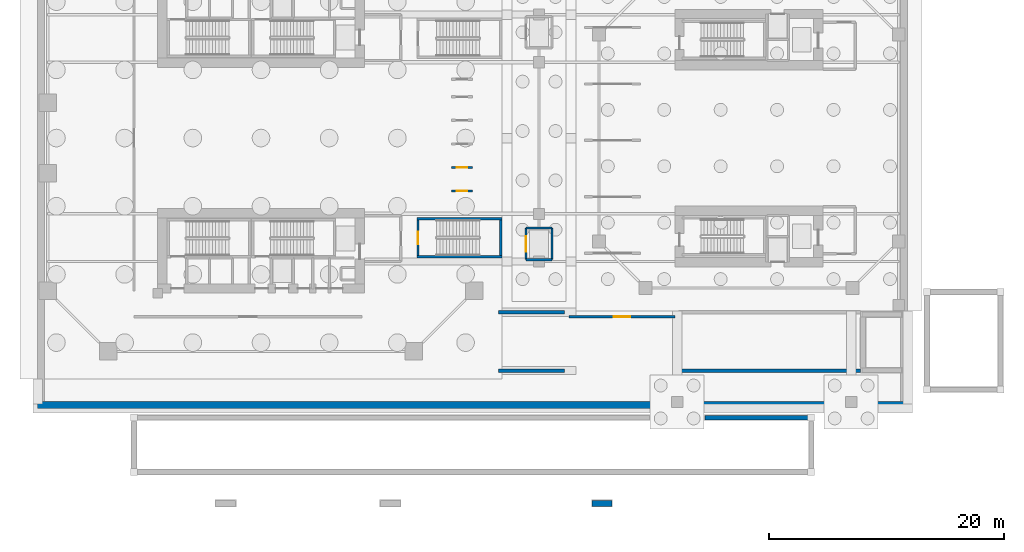
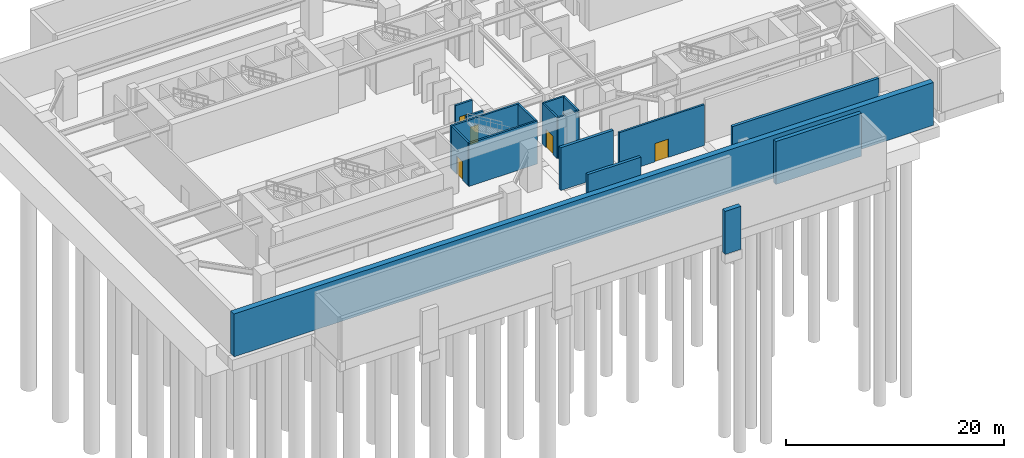
# One storey, part 5 of 13: 17 walls, 5 doors, 5 openings.
"""IFC4 building model written with IfcOpenShell, lengths in metres."""

from ifc_helpers import new_model, si_unit, direction, frame, frame_2d, origin, place, context, subcontext, project, spatial, rectangle, extrude, source, transform, mapped, material, layer, layer_set, type_object, element, fill, save


model = new_model("IFC4")

# Units and contexts
model_context = context("Model", 3, precision=1e-05, world=origin(), true_north=direction((0.0, 1.0)))
body_context = subcontext(model_context, "Body", "Model", "MODEL_VIEW")
ifc_project = project(units=[si_unit("LENGTHUNIT", "METRE"), si_unit("AREAUNIT", "SQUARE_METRE"), si_unit("VOLUMEUNIT", "CUBIC_METRE"), si_unit("PLANEANGLEUNIT", "RADIAN"), si_unit("MASSUNIT", "GRAM", prefix="KILO"), si_unit("THERMODYNAMICTEMPERATUREUNIT", "KELVIN"), si_unit("POWERUNIT", "WATT")], contexts=[model_context])

# Site, building, storey
site_placement = place(None, origin())
site = spatial("IfcSite", under=ifc_project, at=site_placement, CompositionType="ELEMENT")
building_placement = place(site_placement, origin())
building = spatial("IfcBuilding", under=site, at=building_placement, Name="Qiaomeng Ring Towers", CompositionType="ELEMENT")
storey_placement = place(building_placement, frame((0.0, 0.0, -9.60009765625)))
storey = spatial("IfcBuildingStorey", under=building, at=storey_placement, Name="B2", CompositionType="ELEMENT", Elevation=-9.60009765625)

# Wall, opening, door
ifc_material_1 = material(Name="Autoclaved aerated concrete block", Category="concrete")
ifc_layer_1 = layer(ifc_material_1, 0.199951171875, Name="Autoclaved aerated concrete block")
ifc_layer_set_1 = layer_set([ifc_layer_1], Name="Autoclaved aerated concrete block")
wall_type_1 = type_object("IfcWallType", Name="ARC-WL-PW1", PredefinedType="PARTITIONING", material=ifc_layer_set_1)
wall_1_placement = place(storey_placement, frame((45.199951171875, 7.800048828125, 0.0), z_axis=(0.0, 0.0, 1.0), x_axis=(1.0, 0.0, 0.0)))
wall_1 = element("IfcWall", 1, at=wall_1_placement, inside=storey, type_object=wall_type_1, Name="B2 Interior Wall PW1", PredefinedType="PARTITIONING", context=body_context, shape_type="SweptSolid", body=[
    extrude(rectangle(XDim=9.0, YDim=0.199951171875, at=frame_2d((4.5, 0.0))), origin(), (0.0, 0.0, 1.0), 4.580078125),
])
opening_1_placement = place(wall_1_placement, frame((3.800048828125, 0.0, 0.0)))
opening_1 = element("IfcOpeningElement", 2, at=opening_1_placement, cuts=wall_1, Name="Opening FD5", PredefinedType="OPENING", context=body_context, shape_type="SweptSolid", body=[
    extrude(rectangle(XDim=1.39990234375, YDim=2.050048828125, at=frame_2d((0.699951171875, 1.02490234375))), frame((0.0, 0.10986328125, 0.0), z_axis=(0.0, -1.0, 0.0), x_axis=(1.0, 0.0, 0.0)), (0.0, 0.0, 1.0), 0.219970703125),
])
ifc_material_2 = material(Name="Galvanised steel", Category="steel")
door_type_1 = type_object("IfcDoorType", Name="ARC-DR-FD5", OperationType="NOTDEFINED", PredefinedType="DOOR", material=ifc_material_2)
shared_shape_1 = source(origin(), body_context, "Body", "SweptSolid", [
    extrude(rectangle(XDim=1.39990234375, YDim=2.050048828125, at=frame_2d((0.699951171875, 1.02490234375))), frame((0.0, 0.02490234375, 0.0), z_axis=(0.0, -1.0, 0.0), x_axis=(1.0, 0.0, 0.0)), (0.0, 0.0, 1.0), 0.050048828125),
])
door_1_placement = place(opening_1_placement, origin())
door_1 = element("IfcDoor", 3, at=door_1_placement, inside=storey, type_object=door_type_1, Name="B2 Non-Motorised Bicycle Parking and Charging Room Door", OperationType="SINGLE_SWING_LEFT", OverallHeight=2.050048828125, OverallWidth=1.39990234375, PredefinedType="DOOR", context=body_context, shape_type="MappedRepresentation", body=[
    mapped(shared_shape_1, transform((0.0, 0.0, 0.0), x_axis=(1.0, 0.0, 0.0), y_axis=(0.0, 1.0, 0.0), z_axis=(0.0, 0.0, 1.0), scale=1.0)),
])
fill(opening_1, door_1)

wall_2_placement = place(storey_placement, frame((35.199951171875, 18.5, 0.0), z_axis=(0.0, 0.0, 1.0), x_axis=(1.0, 0.0, 0.0)))
wall_2 = element("IfcWall", 4, at=wall_2_placement, inside=storey, type_object=wall_type_1, Name="B2 Pipe Trench Access Wall 1", PredefinedType="PARTITIONING", context=body_context, shape_type="SweptSolid", body=[
    extrude(rectangle(XDim=1.800048828125, YDim=0.199951171875, at=frame_2d((0.89990234375, 0.0))), origin(), (0.0, 0.0, 1.0), 3.400146484375),
])
opening_2_placement = place(wall_2_placement, frame((0.449951171875, 0.0, 0.0)))
opening_2 = element("IfcOpeningElement", 5, at=opening_2_placement, cuts=wall_2, Name="Opening TD1", PredefinedType="OPENING", context=body_context, shape_type="SweptSolid", body=[
    extrude(rectangle(XDim=0.89990234375, YDim=2.0, at=frame_2d((0.449951171875, 1.0))), frame((0.0, 0.10986328125, 0.0), z_axis=(0.0, -1.0, 0.0), x_axis=(1.0, 0.0, 0.0)), (0.0, 0.0, 1.0), 0.219970703125),
])
door_type_2 = type_object("IfcDoorType", Name="ARC-DR-TD1", OperationType="NOTDEFINED", PredefinedType="TRAPDOOR", material=ifc_material_2)
shared_shape_2 = source(origin(), body_context, "Body", "SweptSolid", [
    extrude(rectangle(XDim=0.89990234375, YDim=2.0, at=frame_2d((0.449951171875, 1.0))), frame((0.0, 0.02490234375, 0.0), z_axis=(0.0, -1.0, 0.0), x_axis=(1.0, 0.0, 0.0)), (0.0, 0.0, 1.0), 0.050048828125),
])
door_2_placement = place(opening_2_placement, origin())
door_2 = element("IfcDoor", 6, at=door_2_placement, inside=storey, type_object=door_type_2, Name="B2 Riser Access Trapdoor TD1-1", OperationType="SINGLE_SWING_LEFT", OverallHeight=2.0, OverallWidth=0.89990234375, PredefinedType="TRAPDOOR", context=body_context, shape_type="MappedRepresentation", body=[
    mapped(shared_shape_2, transform((0.0, 0.0, 0.0), x_axis=(1.0, 0.0, 0.0), y_axis=(0.0, 1.0, 0.0), z_axis=(0.0, 0.0, 1.0), scale=1.0)),
])
fill(opening_2, door_2)

wall_3_placement = place(storey_placement, frame((35.199951171875, 20.5, 0.0), z_axis=(0.0, 0.0, 1.0), x_axis=(1.0, 0.0, 0.0)))
wall_3 = element("IfcWall", 7, at=wall_3_placement, inside=storey, type_object=wall_type_1, Name="B2 Pipe Trench Access Wall 2", PredefinedType="PARTITIONING", context=body_context, shape_type="SweptSolid", body=[
    extrude(rectangle(XDim=1.800048828125, YDim=0.199951171875, at=frame_2d((0.89990234375, 0.0))), origin(), (0.0, 0.0, 1.0), 3.400146484375),
])
opening_3_placement = place(wall_3_placement, frame((0.449951171875, 0.0, 0.0)))
opening_3 = element("IfcOpeningElement", 8, at=opening_3_placement, cuts=wall_3, Name="Opening TD1", PredefinedType="OPENING", context=body_context, shape_type="SweptSolid", body=[
    extrude(rectangle(XDim=0.89990234375, YDim=2.0, at=frame_2d((0.449951171875, 1.0))), frame((0.0, 0.10986328125, 0.0), z_axis=(0.0, -1.0, 0.0), x_axis=(1.0, 0.0, 0.0)), (0.0, 0.0, 1.0), 0.219970703125),
])
door_3_placement = place(opening_3_placement, origin())
door_3 = element("IfcDoor", 9, at=door_3_placement, inside=storey, type_object=door_type_2, Name="B2 Riser Access Trapdoor TD1-2", OperationType="SINGLE_SWING_LEFT", OverallHeight=2.0, OverallWidth=0.89990234375, PredefinedType="TRAPDOOR", context=body_context, shape_type="MappedRepresentation", body=[
    mapped(shared_shape_2, transform((0.0, 0.0, 0.0), x_axis=(1.0, 0.0, 0.0), y_axis=(0.0, 1.0, 0.0), z_axis=(0.0, 0.0, 1.0), scale=1.0)),
])
fill(opening_3, door_3)

# Walls
ifc_material_3 = material(Name="Concrete C40", Category="concrete")
ifc_layer_2 = layer(ifc_material_3, 0.60009765625, Name="Concrete C40")
ifc_layer_set_2 = layer_set([ifc_layer_2], Name="Concrete C40")
wall_type_2 = type_object("IfcWallType", Name="STR-WL-BW1", PredefinedType="SOLIDWALL", material=ifc_layer_set_2)
wall_4_placement = place(storey_placement, frame((0.0, 0.300048828125, 0.0), z_axis=(0.0, 0.0, 1.0), x_axis=(1.0, 0.0, 0.0)))
element("IfcWall", 10, at=wall_4_placement, inside=storey, type_object=wall_type_2, Name="B2 RET south core shear wall", PredefinedType="SOLIDWALL", context=body_context, shape_type="SweptSolid", body=[
    extrude(rectangle(XDim=74.0, YDim=0.60009765625, at=frame_2d((37.0, 0.0))), origin(), (0.0, 0.0, 1.0), 4.800048828125),
])
ifc_layer_3 = layer(ifc_material_3, 0.39990234375, Name="Concrete C40")
ifc_layer_set_3 = layer_set([ifc_layer_3], Name="Concrete C40")
wall_type_3 = type_object("IfcWallType", Name="STR-WL-BW2", PredefinedType="SOLIDWALL", material=ifc_layer_set_3)
wall_5_placement = place(storey_placement, frame((56.75, -0.780029296875, 0.0), z_axis=(0.0, 0.0, 1.0), x_axis=(1.0, 0.0, 0.0)))
element("IfcWall", 11, at=wall_5_placement, inside=storey, type_object=wall_type_3, Name="B2 Apron Retaining Plinth Wall PLZ-S-N2", PredefinedType="SOLIDWALL", context=body_context, shape_type="SweptSolid", body=[
    extrude(rectangle(XDim=9.050048828125, YDim=0.39990234375, at=frame_2d((4.52490234375, 0.0))), origin(), (0.0, 0.0, 1.0), 4.800048828125),
])
wall_6_placement = place(storey_placement, frame((39.199951171875, 3.219970703125, 0.0), z_axis=(0.0, 0.0, 1.0), x_axis=(1.0, 0.0, 0.0)))
element("IfcWall", 12, at=wall_6_placement, inside=storey, type_object=wall_type_3, Name="B2 Vehicle Ramp R1 West Support Wall S", PredefinedType="SOLIDWALL", context=body_context, shape_type="SweptSolid", body=[
    extrude(rectangle(XDim=5.60009765625, YDim=0.300048828125, at=frame_2d((2.800048828125, 0.0))), origin(), (0.0, 0.0, 1.0), 4.800048828125),
])
wall_7_placement = place(storey_placement, frame((54.5, 3.219970703125, 0.0), z_axis=(0.0, 0.0, 1.0), x_axis=(1.0, 0.0, 0.0)))
element("IfcWall", 13, at=wall_7_placement, inside=storey, type_object=wall_type_3, Name="B2 Vehicle Ramp R1 East Support Wall S", PredefinedType="SOLIDWALL", context=body_context, shape_type="SweptSolid", body=[
    extrude(rectangle(XDim=15.5, YDim=0.300048828125, at=frame_2d((7.75, 0.0))), origin(), (0.0, 0.0, 1.0), 4.800048828125),
])
wall_8_placement = place(storey_placement, frame((39.199951171875, 8.179931640625, 0.0), z_axis=(0.0, 0.0, 1.0), x_axis=(1.0, 0.0, 0.0)))
element("IfcWall", 14, at=wall_8_placement, inside=storey, type_object=wall_type_3, Name="B2 Vehicle Ramp R1 West Support Wall N", PredefinedType="SOLIDWALL", context=body_context, shape_type="SweptSolid", body=[
    extrude(rectangle(XDim=5.60009765625, YDim=0.300048828125, at=frame_2d((2.800048828125, 0.0))), origin(), (0.0, 0.0, 1.0), 4.800048828125),
])
wall_9_placement = place(storey_placement, frame((47.14990234375, -8.072998046875, 0.0), z_axis=(0.0, 0.0, 1.0), x_axis=(1.0, 0.0, 0.0)))
element("IfcWall", 15, at=wall_9_placement, inside=storey, type_object=wall_type_3, Name="B2 AR2 Kerb Plinth", PredefinedType="SOLIDWALL", context=body_context, shape_type="SweptSolid", body=[
    extrude(rectangle(XDim=1.7001953125, YDim=0.5, at=frame_2d((0.85009765625, 0.0))), origin(), (0.0, 0.0, 1.0), 4.800048828125),
])

# Wall, opening, door
ifc_layer_4 = layer(ifc_material_3, 0.199951171875, Name="Concrete C40")
ifc_layer_set_4 = layer_set([ifc_layer_4], Name="Concrete C40")
wall_type_4 = type_object("IfcWallType", Name="STR-WL-STSHAFT", PredefinedType="SHEAR", material=ifc_layer_set_4)
wall_10_placement = place(storey_placement, frame((41.550048828125, 12.64990234375, 0.0), z_axis=(0.0, 0.0, 1.0), x_axis=(0.0, 1.0, 0.0)))
wall_10 = element("IfcWall", 16, at=wall_10_placement, inside=storey, type_object=wall_type_4, Name="B2 Medical Lift LP10 West Shaft Wall", PredefinedType="SHEAR", context=body_context, shape_type="SweptSolid", body=[
    extrude(rectangle(XDim=2.7001953125, YDim=0.179931640625, at=frame_2d((1.35009765625, 0.0))), origin(), (0.0, 0.0, 1.0), 4.580078125),
])
opening_4_placement = place(wall_10_placement, frame((0.699951171875, 0.0, 0.0)))
opening_4 = element("IfcOpeningElement", 17, at=opening_4_placement, cuts=wall_10, Name="Opening LD2", PredefinedType="OPENING", context=body_context, shape_type="SweptSolid", body=[
    extrude(rectangle(XDim=1.300048828125, YDim=2.050048828125, at=frame_2d((0.64990234375, 1.02490234375))), frame((0.0, 0.099853515625, 0.0), z_axis=(0.0, -1.0, 0.0), x_axis=(1.0, 0.0, 0.0)), (0.0, 0.0, 1.0), 0.199951171875),
])
ifc_material_4 = material(Name="Stainless steel 316", Category="steel")
door_type_3 = type_object("IfcDoorType", Name="ARC-DR-LD2", OperationType="NOTDEFINED", PredefinedType="DOOR", material=ifc_material_4)
shared_shape_3 = source(origin(), body_context, "Body", "SweptSolid", [
    extrude(rectangle(XDim=1.300048828125, YDim=2.050048828125, at=frame_2d((0.64990234375, 1.02490234375))), frame((0.0, 0.02490234375, 0.0), z_axis=(0.0, -1.0, 0.0), x_axis=(1.0, 0.0, 0.0)), (0.0, 0.0, 1.0), 0.050048828125),
])
door_4_placement = place(opening_4_placement, origin())
door_4 = element("IfcDoor", 18, at=door_4_placement, inside=storey, type_object=door_type_3, Name="B2 Medical Lift LP10 Landing Door", OperationType="SLIDING_TO_LEFT", OverallHeight=2.050048828125, OverallWidth=1.300048828125, PredefinedType="DOOR", context=body_context, shape_type="MappedRepresentation", body=[
    mapped(shared_shape_3, transform((0.0, 0.0, 0.0), x_axis=(1.0, 0.0, 0.0), y_axis=(0.0, 1.0, 0.0), z_axis=(0.0, 0.0, 1.0), scale=1.0)),
])
fill(opening_4, door_4)

# Walls
wall_11_placement = place(storey_placement, frame((43.75, 12.64990234375, 0.0), z_axis=(0.0, 0.0, 1.0), x_axis=(0.0, 1.0, 0.0)))
element("IfcWall", 19, at=wall_11_placement, inside=storey, type_object=wall_type_4, Name="B2 Medical Lift LP10 East Shaft Wall", PredefinedType="SHEAR", context=body_context, shape_type="SweptSolid", body=[
    extrude(rectangle(XDim=2.7001953125, YDim=0.179931640625, at=frame_2d((1.35009765625, 0.0))), origin(), (0.0, 0.0, 1.0), 4.580078125),
])
for number, where, z_axis, x_axis, name in (
    (20, (41.550048828125, 12.64990234375, 0.0), (0.0, 0.0, 1.0), (1.0, 0.0, 0.0), "B2 Medical Lift LP10 South Shaft Wall"),
    (21, (41.550048828125, 15.35009765625, 0.0), (0.0, 0.0, 1.0), (1.0, 0.0, 0.0), "B2 Medical Lift LP10 North Shaft Wall"),
):
    element("IfcWall", number, at=place(storey_placement, frame(where, z_axis=z_axis, x_axis=x_axis)), inside=storey, type_object=wall_type_4, Name=name, PredefinedType="SHEAR", context=body_context, shape_type="SweptSolid", body=[
        extrude(rectangle(XDim=2.199951171875, YDim=0.179931640625, at=frame_2d((1.10009765625, 0.0))), origin(), (0.0, 0.0, 1.0), 4.580078125),
    ])
for number, where, z_axis, x_axis, name in (
    (22, (32.25, 12.89990234375, 0.0), (0.0, 0.0, 1.0), (1.0, 0.0, 0.0), "B2 Stair ST8 South Shaft Shear Wall"),
    (23, (32.25, 16.139892578125, 0.0), (0.0, 0.0, 1.0), (1.0, 0.0, 0.0), "B2 Stair ST8 North Shaft Shear Wall"),
):
    element("IfcWall", number, at=place(storey_placement, frame(where, z_axis=z_axis, x_axis=x_axis)), inside=storey, type_object=wall_type_4, Name=name, PredefinedType="SHEAR", context=body_context, shape_type="SweptSolid", body=[
        extrude(rectangle(XDim=7.25, YDim=0.199951171875, at=frame_2d((3.625, 0.0))), origin(), (0.0, 0.0, 1.0), 4.800048828125),
    ])

# Wall, opening, door
wall_12_placement = place(storey_placement, frame((32.35009765625, 13.0, 0.0), z_axis=(0.0, 0.0, 1.0), x_axis=(0.0, 1.0, 0.0)))
wall_12 = element("IfcWall", 24, at=wall_12_placement, inside=storey, type_object=wall_type_4, Name="B2 Stair ST8 West Shaft Shear Wall", PredefinedType="SHEAR", context=body_context, shape_type="SweptSolid", body=[
    extrude(rectangle(XDim=3.0400390625, YDim=0.199951171875, at=frame_2d((1.52001953125, 0.0))), origin(), (0.0, 0.0, 1.0), 4.800048828125),
])
opening_5_placement = place(wall_12_placement, frame((0.949951171875, 0.0, 0.0)))
opening_5 = element("IfcOpeningElement", 25, at=opening_5_placement, cuts=wall_12, Name="Opening FD3", PredefinedType="OPENING", context=body_context, shape_type="SweptSolid", body=[
    extrude(rectangle(XDim=1.10009765625, YDim=2.050048828125, at=frame_2d((0.550048828125, 1.02490234375))), frame((0.0, 0.10986328125, 0.0), z_axis=(0.0, -1.0, 0.0), x_axis=(1.0, 0.0, 0.0)), (0.0, 0.0, 1.0), 0.219970703125),
])
door_type_4 = type_object("IfcDoorType", Name="ARC-DR-FD3", OperationType="NOTDEFINED", PredefinedType="DOOR", material=ifc_material_2)
shared_shape_4 = source(origin(), body_context, "Body", "SweptSolid", [
    extrude(rectangle(XDim=1.10009765625, YDim=2.050048828125, at=frame_2d((0.550048828125, 1.02490234375))), frame((0.0, 0.02490234375, 0.0), z_axis=(0.0, -1.0, 0.0), x_axis=(1.0, 0.0, 0.0)), (0.0, 0.0, 1.0), 0.050048828125),
])
door_5_placement = place(opening_5_placement, origin())
door_5 = element("IfcDoor", 26, at=door_5_placement, inside=storey, type_object=door_type_4, Name="B2 Podium Stair ST8 Exit Door", OperationType="SINGLE_SWING_LEFT", OverallHeight=2.050048828125, OverallWidth=1.10009765625, PredefinedType="DOOR", context=body_context, shape_type="MappedRepresentation", body=[
    mapped(shared_shape_4, transform((0.0, 0.0, 0.0), x_axis=(1.0, 0.0, 0.0), y_axis=(0.0, 1.0, 0.0), z_axis=(0.0, 0.0, 1.0), scale=1.0)),
])
fill(opening_5, door_5)

# Wall
wall_13_placement = place(storey_placement, frame((39.39990234375, 13.0, 0.0), z_axis=(0.0, 0.0, 1.0), x_axis=(0.0, 1.0, 0.0)))
element("IfcWall", 27, at=wall_13_placement, inside=storey, type_object=wall_type_4, Name="B2 Stair ST8 East Shaft Shear Wall", PredefinedType="SHEAR", context=body_context, shape_type="SweptSolid", body=[
    extrude(rectangle(XDim=3.0400390625, YDim=0.199951171875, at=frame_2d((1.52001953125, 0.0))), origin(), (0.0, 0.0, 1.0), 4.800048828125),
])

save(model, "model.ifc")
